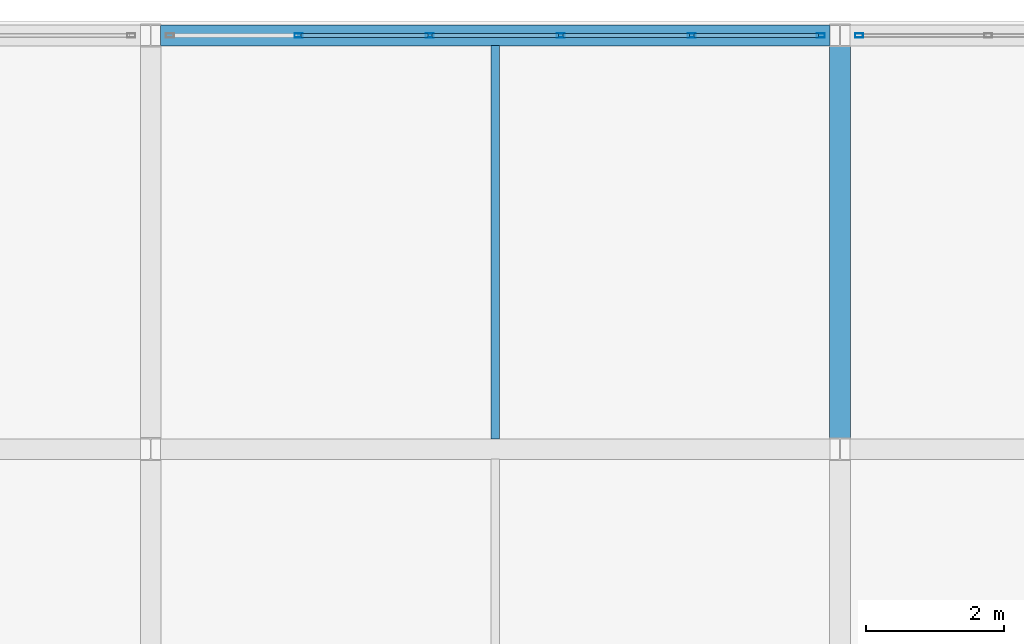
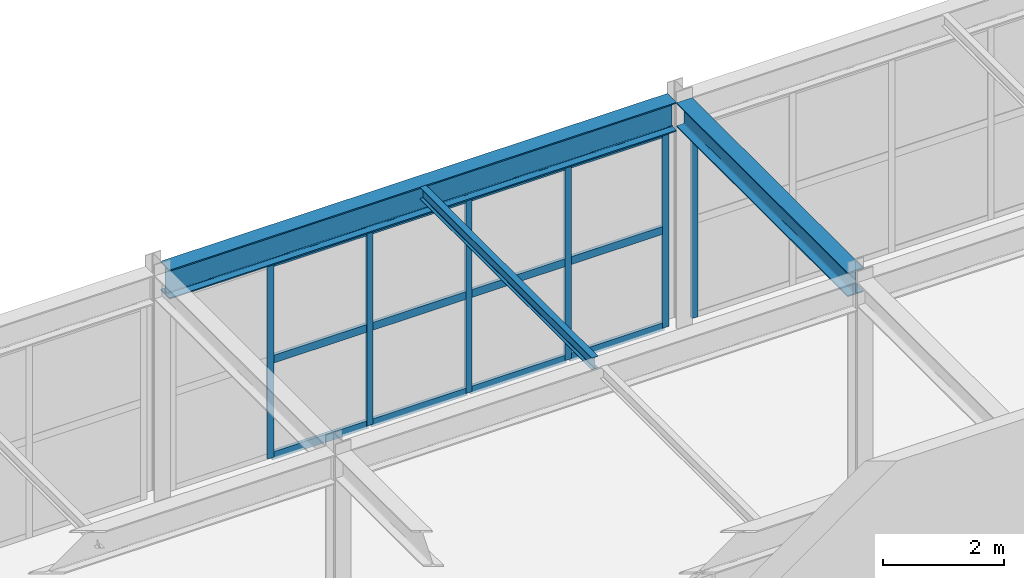
# One storey, part 85 of 112: 18 members, 3 beams, 2 elements without a shape of their own.
"""IFC4 building model written with IfcOpenShell, lengths in metres."""

from ifc_helpers import new_model, si_unit, direction, frame, origin, origin_2d, place, context, subcontext, project, spatial, hollow_rectangle, i_section, extrude, material, material_profile, profile_set, type_object, element, aggregate, save


model = new_model("IFC4")

# Units and contexts
model_context = context("Model", 3, precision=1e-05, world=origin(), true_north=direction((0.0, 1.0)))
body_context = subcontext(model_context, "Body", "Model", "MODEL_VIEW")
ifc_project = project(units=[si_unit("LENGTHUNIT", "METRE"), si_unit("AREAUNIT", "SQUARE_METRE"), si_unit("VOLUMEUNIT", "CUBIC_METRE"), si_unit("PLANEANGLEUNIT", "RADIAN"), si_unit("MASSUNIT", "GRAM", prefix="KILO")], contexts=[model_context])

# Site, building, storey
site_placement = place(None, origin())
site = spatial("IfcSite", under=ifc_project, at=site_placement, CompositionType="ELEMENT")
building_placement = place(site_placement, origin())
building = spatial("IfcBuilding", under=site, at=building_placement, Name="Kaldris Quays Convention Centre", CompositionType="ELEMENT")
storey_placement = place(building_placement, frame((0.0, 0.0, 16.800048828125)))
storey = spatial("IfcBuildingStorey", under=building, at=storey_placement, Name="L03", CompositionType="ELEMENT", Elevation=16.800048828125)

# Curtain wall, members
ifc_material_1 = material(Name="Anodized aluminium AW-6060 and triple glazing", Category="aluminium")
curtain_wall_type = type_object("IfcCurtainWallType", Name="UNITISED CURTAIN WALL CW06", PredefinedType="NOTDEFINED", material=ifc_material_1)
curtain_wall_1_placement = place(storey_placement, origin())
curtain_wall_1 = element("IfcCurtainWall", 1, at=curtain_wall_1_placement, inside=storey, type_object=curtain_wall_type, Name="L03 Unitised Curtain Wall CW06 175", PredefinedType="NOTDEFINED")
ifc_material_2 = material(Name="Anodized aluminium AW-6060", Category="aluminium")
ifc_material_profile_1 = material_profile(ifc_material_2, hollow_rectangle(XDim=0.06005859375, YDim=0.1201171875, WallThickness=0.00390625, at=origin_2d()), Name="RHS 120x60x4")
ifc_profile_set_1 = profile_set([ifc_material_profile_1], Name="Anodized aluminium AW-6060")
member_type_1 = type_object("IfcMemberType", Name="CURTAIN MULLION CWM3", PredefinedType="MULLION", material=ifc_profile_set_1)
member_1_placement = place(storey_placement, frame((176.14990234375, 116.0, 0.0), z_axis=(0.0, 0.0, 1.0), x_axis=(0.0, 1.0, 0.0)))
member_1 = element("IfcMember", 2, at=member_1_placement, type_object=member_type_1, Name="CW06 mullion 2", PredefinedType="MULLION", context=body_context, shape_type="SweptSolid", body=[
    extrude(hollow_rectangle(XDim=0.06005859375, YDim=0.1201171875, WallThickness=0.00390625, at=origin_2d()), origin(), (0.0, 0.0, 1.0), 3.967041015625),
])
member_2_placement = place(storey_placement, frame((178.050048828125, 116.0, 0.0), z_axis=(0.0, 0.0, 1.0), x_axis=(0.0, 1.0, 0.0)))
member_2 = element("IfcMember", 3, at=member_2_placement, type_object=member_type_1, Name="CW06 mullion 3", PredefinedType="MULLION", context=body_context, shape_type="SweptSolid", body=[
    extrude(hollow_rectangle(XDim=0.06005859375, YDim=0.1201171875, WallThickness=0.00390625, at=origin_2d()), origin(), (0.0, 0.0, 1.0), 3.967041015625),
])
member_3_placement = place(storey_placement, frame((179.949951171875, 116.0, 0.0), z_axis=(0.0, 0.0, 1.0), x_axis=(0.0, 1.0, 0.0)))
member_3 = element("IfcMember", 4, at=member_3_placement, type_object=member_type_1, Name="CW06 mullion 4", PredefinedType="MULLION", context=body_context, shape_type="SweptSolid", body=[
    extrude(hollow_rectangle(XDim=0.06005859375, YDim=0.1201171875, WallThickness=0.00390625, at=origin_2d()), origin(), (0.0, 0.0, 1.0), 3.967041015625),
])
member_4_placement = place(storey_placement, frame((181.85009765625, 116.0, 0.0), z_axis=(0.0, 0.0, 1.0), x_axis=(0.0, 1.0, 0.0)))
member_4 = element("IfcMember", 5, at=member_4_placement, type_object=member_type_1, Name="CW06 mullion 5", PredefinedType="MULLION", context=body_context, shape_type="SweptSolid", body=[
    extrude(hollow_rectangle(XDim=0.06005859375, YDim=0.1201171875, WallThickness=0.00390625, at=origin_2d()), origin(), (0.0, 0.0, 1.0), 3.967041015625),
])
member_5_placement = place(storey_placement, frame((183.719970703125, 116.0, 0.0), z_axis=(0.0, 0.0, 1.0), x_axis=(0.0, 1.0, 0.0)))
member_5 = element("IfcMember", 6, at=member_5_placement, type_object=member_type_1, Name="CW06 mullion 6", PredefinedType="MULLION", context=body_context, shape_type="SweptSolid", body=[
    extrude(hollow_rectangle(XDim=0.06005859375, YDim=0.1201171875, WallThickness=0.00390625, at=origin_2d()), origin(), (0.0, 0.0, 1.0), 3.967041015625),
])

# Curtain wall, member
curtain_wall_2_placement = place(storey_placement, origin())
curtain_wall_2 = element("IfcCurtainWall", 7, at=curtain_wall_2_placement, inside=storey, type_object=curtain_wall_type, Name="L03 Unitised Curtain Wall CW06 177", PredefinedType="NOTDEFINED")
member_6_placement = place(storey_placement, frame((184.280029296875, 116.0, 0.0), z_axis=(0.0, 0.0, 1.0), x_axis=(0.0, 1.0, 0.0)))
member_6 = element("IfcMember", 8, at=member_6_placement, type_object=member_type_1, Name="CW06 mullion 1", PredefinedType="MULLION", context=body_context, shape_type="SweptSolid", body=[
    extrude(hollow_rectangle(XDim=0.06005859375, YDim=0.1201171875, WallThickness=0.00390625, at=origin_2d()), origin(), (0.0, 0.0, 1.0), 3.967041015625),
])
aggregate(curtain_wall_2, [member_6])

# Member
ifc_material_profile_2 = material_profile(ifc_material_2, hollow_rectangle(XDim=0.06005859375, YDim=0.159912109375, WallThickness=0.00390625, at=origin_2d()), Name="RHS 160x60x4")
ifc_profile_set_2 = profile_set([ifc_material_profile_2], Name="Anodized aluminium AW-6060")
member_type_2 = type_object("IfcMemberType", Name="CURTAIN TRANSOM CWT2", PredefinedType="USERDEFINED", material=ifc_profile_set_2)
member_7_placement = place(storey_placement, frame((176.179931640625, 116.0, 0.030029296875), z_axis=(1.0, 0.0, 0.0), x_axis=(0.0, 1.0, 0.0)))
member_7 = element("IfcMember", 9, at=member_7_placement, type_object=member_type_2, Name="CW06 transom 2.1", ObjectType="TRANSOM", PredefinedType="USERDEFINED", context=body_context, shape_type="SweptSolid", body=[
    extrude(hollow_rectangle(XDim=0.06005859375, YDim=0.159912109375, WallThickness=0.00390625, at=origin_2d()), origin(), (0.0, 0.0, 1.0), 1.840087890625),
])

member_8_placement = place(storey_placement, frame((176.179931640625, 116.0, 1.98388671875), z_axis=(1.0, 0.0, 0.0), x_axis=(0.0, 1.0, 0.0)))
member_8 = element("IfcMember", 10, at=member_8_placement, type_object=member_type_2, Name="CW06 transom 2.2", ObjectType="TRANSOM", PredefinedType="USERDEFINED", context=body_context, shape_type="SweptSolid", body=[
    extrude(hollow_rectangle(XDim=0.06005859375, YDim=0.159912109375, WallThickness=0.00390625, at=origin_2d()), origin(), (0.0, 0.0, 1.0), 1.840087890625),
])

member_9_placement = place(storey_placement, frame((176.179931640625, 116.0, 3.93701171875), z_axis=(1.0, 0.0, 0.0), x_axis=(0.0, 1.0, 0.0)))
member_9 = element("IfcMember", 11, at=member_9_placement, type_object=member_type_2, Name="CW06 transom 2.3", ObjectType="TRANSOM", PredefinedType="USERDEFINED", context=body_context, shape_type="SweptSolid", body=[
    extrude(hollow_rectangle(XDim=0.06005859375, YDim=0.159912109375, WallThickness=0.00390625, at=origin_2d()), origin(), (0.0, 0.0, 1.0), 1.840087890625),
])

member_10_placement = place(storey_placement, frame((178.080078125, 116.0, 0.030029296875), z_axis=(1.0, 0.0, 0.0), x_axis=(0.0, 1.0, 0.0)))
member_10 = element("IfcMember", 12, at=member_10_placement, type_object=member_type_2, Name="CW06 transom 3.1", ObjectType="TRANSOM", PredefinedType="USERDEFINED", context=body_context, shape_type="SweptSolid", body=[
    extrude(hollow_rectangle(XDim=0.06005859375, YDim=0.159912109375, WallThickness=0.00390625, at=origin_2d()), origin(), (0.0, 0.0, 1.0), 1.83984375),
])

member_11_placement = place(storey_placement, frame((178.080078125, 116.0, 1.98388671875), z_axis=(1.0, 0.0, 0.0), x_axis=(0.0, 1.0, 0.0)))
member_11 = element("IfcMember", 13, at=member_11_placement, type_object=member_type_2, Name="CW06 transom 3.2", ObjectType="TRANSOM", PredefinedType="USERDEFINED", context=body_context, shape_type="SweptSolid", body=[
    extrude(hollow_rectangle(XDim=0.06005859375, YDim=0.159912109375, WallThickness=0.00390625, at=origin_2d()), origin(), (0.0, 0.0, 1.0), 1.83984375),
])

member_12_placement = place(storey_placement, frame((178.080078125, 116.0, 3.93701171875), z_axis=(1.0, 0.0, 0.0), x_axis=(0.0, 1.0, 0.0)))
member_12 = element("IfcMember", 14, at=member_12_placement, type_object=member_type_2, Name="CW06 transom 3.3", ObjectType="TRANSOM", PredefinedType="USERDEFINED", context=body_context, shape_type="SweptSolid", body=[
    extrude(hollow_rectangle(XDim=0.06005859375, YDim=0.159912109375, WallThickness=0.00390625, at=origin_2d()), origin(), (0.0, 0.0, 1.0), 1.83984375),
])

member_13_placement = place(storey_placement, frame((179.97998046875, 116.0, 0.030029296875), z_axis=(1.0, 0.0, 0.0), x_axis=(0.0, 1.0, 0.0)))
member_13 = element("IfcMember", 15, at=member_13_placement, type_object=member_type_2, Name="CW06 transom 4.1", ObjectType="TRANSOM", PredefinedType="USERDEFINED", context=body_context, shape_type="SweptSolid", body=[
    extrude(hollow_rectangle(XDim=0.06005859375, YDim=0.159912109375, WallThickness=0.00390625, at=origin_2d()), origin(), (0.0, 0.0, 1.0), 1.840087890625),
])

member_14_placement = place(storey_placement, frame((179.97998046875, 116.0, 1.98388671875), z_axis=(1.0, 0.0, 0.0), x_axis=(0.0, 1.0, 0.0)))
member_14 = element("IfcMember", 16, at=member_14_placement, type_object=member_type_2, Name="CW06 transom 4.2", ObjectType="TRANSOM", PredefinedType="USERDEFINED", context=body_context, shape_type="SweptSolid", body=[
    extrude(hollow_rectangle(XDim=0.06005859375, YDim=0.159912109375, WallThickness=0.00390625, at=origin_2d()), origin(), (0.0, 0.0, 1.0), 1.840087890625),
])

member_15_placement = place(storey_placement, frame((179.97998046875, 116.0, 3.93701171875), z_axis=(1.0, 0.0, 0.0), x_axis=(0.0, 1.0, 0.0)))
member_15 = element("IfcMember", 17, at=member_15_placement, type_object=member_type_2, Name="CW06 transom 4.3", ObjectType="TRANSOM", PredefinedType="USERDEFINED", context=body_context, shape_type="SweptSolid", body=[
    extrude(hollow_rectangle(XDim=0.06005859375, YDim=0.159912109375, WallThickness=0.00390625, at=origin_2d()), origin(), (0.0, 0.0, 1.0), 1.840087890625),
])

member_16_placement = place(storey_placement, frame((181.8798828125, 116.0, 0.030029296875), z_axis=(1.0, 0.0, 0.0), x_axis=(0.0, 1.0, 0.0)))
member_16 = element("IfcMember", 18, at=member_16_placement, type_object=member_type_2, Name="CW06 transom 5.1", ObjectType="TRANSOM", PredefinedType="USERDEFINED", context=body_context, shape_type="SweptSolid", body=[
    extrude(hollow_rectangle(XDim=0.06005859375, YDim=0.159912109375, WallThickness=0.00390625, at=origin_2d()), origin(), (0.0, 0.0, 1.0), 1.81005859375),
])

member_17_placement = place(storey_placement, frame((181.8798828125, 116.0, 1.98388671875), z_axis=(1.0, 0.0, 0.0), x_axis=(0.0, 1.0, 0.0)))
member_17 = element("IfcMember", 19, at=member_17_placement, type_object=member_type_2, Name="CW06 transom 5.2", ObjectType="TRANSOM", PredefinedType="USERDEFINED", context=body_context, shape_type="SweptSolid", body=[
    extrude(hollow_rectangle(XDim=0.06005859375, YDim=0.159912109375, WallThickness=0.00390625, at=origin_2d()), origin(), (0.0, 0.0, 1.0), 1.81005859375),
])

member_18_placement = place(storey_placement, frame((181.8798828125, 116.0, 3.93701171875), z_axis=(1.0, 0.0, 0.0), x_axis=(0.0, 1.0, 0.0)))
member_18 = element("IfcMember", 20, at=member_18_placement, type_object=member_type_2, Name="CW06 transom 5.3", ObjectType="TRANSOM", PredefinedType="USERDEFINED", context=body_context, shape_type="SweptSolid", body=[
    extrude(hollow_rectangle(XDim=0.06005859375, YDim=0.159912109375, WallThickness=0.00390625, at=origin_2d()), origin(), (0.0, 0.0, 1.0), 1.81005859375),
])

aggregate(curtain_wall_1, [member_1, member_2, member_3, member_4, member_5, member_7, member_8, member_9, member_10, member_11, member_12, member_13, member_14, member_15, member_16, member_17, member_18])

# Beams
ifc_material_3 = material(Name="Steel S355J2", Category="steel")
ifc_material_profile_3 = material_profile(ifc_material_3, i_section(OverallWidth=0.300048828125, OverallDepth=0.590087890625, WebThickness=0.012939453125, FlangeThickness=0.02490234375, FilletRadius=0.027099609375, at=origin_2d()), Name="HEA 600")
ifc_profile_set_3 = profile_set([ifc_material_profile_3], Name="Steel S355J2")
beam_type_1 = type_object("IfcBeamType", Name="STRUCTURAL BEAM BM08", PredefinedType="BEAM", material=ifc_profile_set_3)
beam_1_placement = place(storey_placement, frame((174.14404296875, 116.0, 4.286865234375), z_axis=(1.0, 0.0, 0.0), x_axis=(0.0, 1.0, 0.0)))
element("IfcBeam", 21, at=beam_1_placement, inside=storey, type_object=beam_type_1, Name="L03 Girder BM08 54", PredefinedType="BEAM", context=body_context, shape_type="SweptSolid", body=[
    extrude(i_section(OverallWidth=0.300048828125, OverallDepth=0.590087890625, WebThickness=0.012939453125, FlangeThickness=0.02490234375, FilletRadius=0.027099609375, at=origin_2d()), origin(), (0.0, 0.0, 1.0), 9.7119140625),
])
ifc_material_profile_4 = material_profile(ifc_material_3, i_section(OverallWidth=0.300048828125, OverallDepth=0.489990234375, WebThickness=0.011962890625, FlangeThickness=0.02294921875, FilletRadius=0.027099609375, at=origin_2d()), Name="HEA 500")
ifc_profile_set_4 = profile_set([ifc_material_profile_4], Name="Steel S355J2")
beam_type_2 = type_object("IfcBeamType", Name="STRUCTURAL BEAM BM09", PredefinedType="BEAM", material=ifc_profile_set_4)
beam_2_placement = place(storey_placement, frame((184.0, 110.158935546875, 4.3369140625), z_axis=(0.0, 1.0, 0.0), x_axis=(-1.0, 0.0, 0.0)))
element("IfcBeam", 22, at=beam_2_placement, inside=storey, type_object=beam_type_2, Name="L03 Girder BM09 107", PredefinedType="BEAM", context=body_context, shape_type="SweptSolid", body=[
    extrude(i_section(OverallWidth=0.300048828125, OverallDepth=0.489990234375, WebThickness=0.011962890625, FlangeThickness=0.02294921875, FilletRadius=0.027099609375, at=origin_2d()), origin(), (0.0, 0.0, 1.0), 5.68212890625),
])
ifc_material_profile_5 = material_profile(ifc_material_3, i_section(OverallWidth=0.1201171875, OverallDepth=0.239990234375, WebThickness=0.006103515625, FlangeThickness=0.009765625, FilletRadius=0.014892578125, at=origin_2d()), Name="IPE 240")
ifc_profile_set_5 = profile_set([ifc_material_profile_5], Name="Steel S355J2")
beam_type_3 = type_object("IfcBeamType", Name="STRUCTURAL BEAM JT05", PredefinedType="JOIST", material=ifc_profile_set_5)
beam_3_placement = place(storey_placement, frame((179.0, 110.14404296875, 4.4619140625), z_axis=(0.0, 1.0, 0.0), x_axis=(-1.0, 0.0, 0.0)))
element("IfcBeam", 23, at=beam_3_placement, inside=storey, type_object=beam_type_3, Name="L03 Secondary Joist JT05 34", PredefinedType="JOIST", context=body_context, shape_type="SweptSolid", body=[
    extrude(i_section(OverallWidth=0.1201171875, OverallDepth=0.239990234375, WebThickness=0.006103515625, FlangeThickness=0.009765625, FilletRadius=0.014892578125, at=origin_2d()), origin(), (0.0, 0.0, 1.0), 5.7119140625),
])

save(model, "model.ifc")
